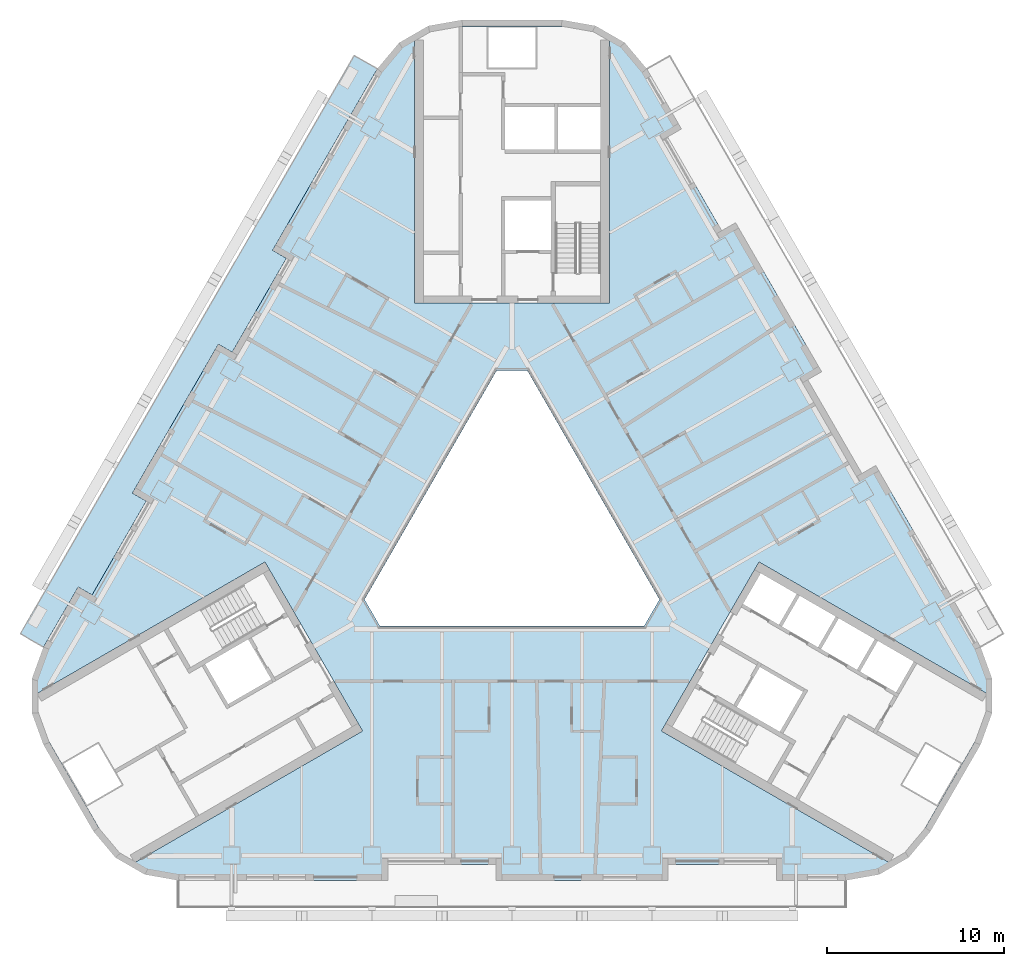
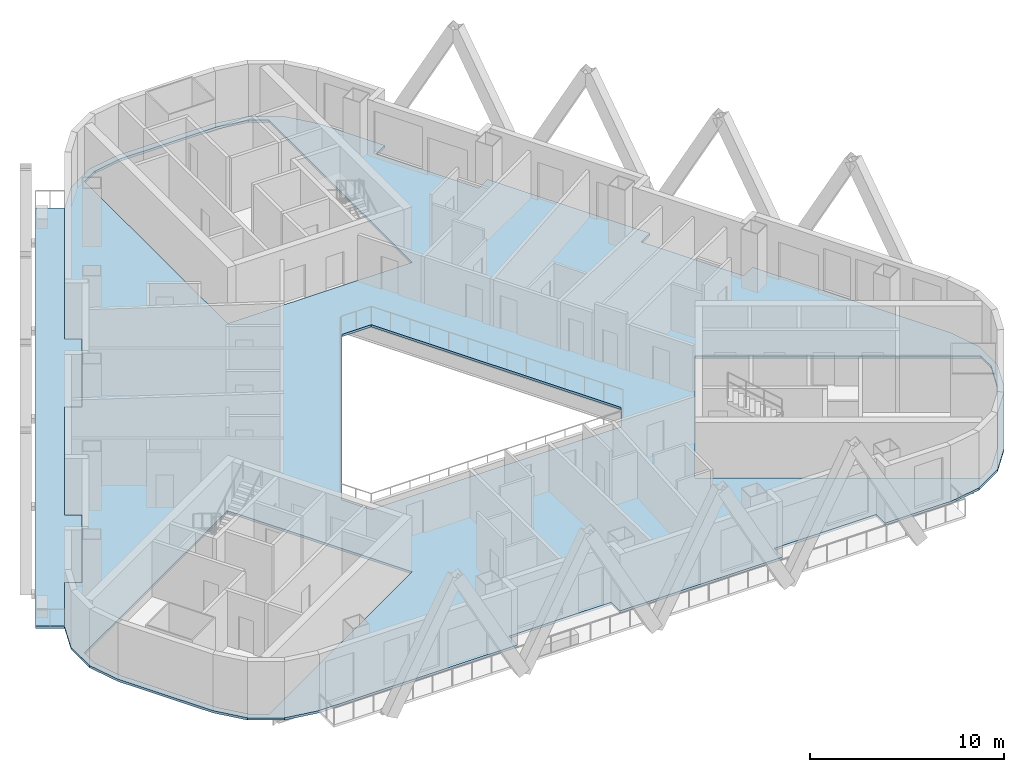
# One storey, part 3 of 17: 2 slabs.
"""IFC4 building model written with IfcOpenShell, lengths in metres."""

from ifc_helpers import new_model, si_unit, direction, frame, origin, place, context, subcontext, project, spatial, polyline, outline, extrude, material, layer, layer_set, type_object, element, save


model = new_model("IFC4")

# Units and contexts
model_context = context("Model", 3, precision=1e-05, world=origin(), true_north=direction((0.0, 1.0)))
body_context = subcontext(model_context, "Body", "Model", "MODEL_VIEW")
ifc_project = project(units=[si_unit("LENGTHUNIT", "METRE"), si_unit("AREAUNIT", "SQUARE_METRE"), si_unit("VOLUMEUNIT", "CUBIC_METRE"), si_unit("PLANEANGLEUNIT", "RADIAN"), si_unit("MASSUNIT", "GRAM", prefix="KILO")], contexts=[model_context])

# Site, building, storey
site_placement = place(None, origin())
site = spatial("IfcSite", under=ifc_project, at=site_placement, CompositionType="ELEMENT")
building_placement = place(site_placement, origin())
building = spatial("IfcBuilding", under=site, at=building_placement, Name="Apuvela Tower Hotel", CompositionType="ELEMENT")
storey_placement = place(building_placement, frame((0.0, 0.0, 46.5)))
storey = spatial("IfcBuildingStorey", under=building, at=storey_placement, Name="L08", CompositionType="ELEMENT", Elevation=46.5)

# Slabs
ifc_material_1 = material(Name="Concrete C40/50, fair-faced", Category="concrete")
ifc_layer_1 = layer(ifc_material_1, 0.14990234375)
ifc_layer_set_1 = layer_set([ifc_layer_1], Name="ENV-BALCONY-150")
slab_type_1 = type_object("IfcSlabType", Name="ENV-BALCONY-150", PredefinedType="FLOOR", material=ifc_layer_set_1)
slab_1_placement = place(storey_placement, frame((0.0, 0.0, -0.14990234375)))
element("IfcSlab", 1, at=slab_1_placement, inside=storey, type_object=slab_type_1, Name="Balcony slab NW L08", PredefinedType="FLOOR", context=body_context, shape_type="SweptSolid", body=[
    extrude(outline(polyline([(-27.7138671875, -5.731689453125), (-8.89306640625, 26.86669921875), (-7.585205078125, 26.11181640625), (-13.4931640625, 15.87890625), (-12.7138671875, 15.428955078125), (-15.768798828125, 10.1376953125), (-16.548095703125, 10.587646484375), (-21.393310546875, 2.19580078125), (-20.61376953125, 1.745849609375), (-23.668701171875, -3.545654296875), (-24.4482421875, -3.095703125), (-26.40625, -6.48681640625), (-27.7138671875, -5.731689453125)])), origin(), (0.0, 0.0, 1.0), 0.14990234375),
])
ifc_material_2 = material(Name="Concrete C35/45", Category="concrete")
ifc_layer_2 = layer(ifc_material_2, 0.14990234375)
ifc_layer_set_2 = layer_set([ifc_layer_2], Name="STR-SLAB 150 floor Concrete C35/45")
slab_type_2 = type_object("IfcSlabType", Name="STR-SLAB 150 floor Concrete C35/45", PredefinedType="FLOOR", material=ifc_layer_set_2)
slab_2_placement = place(storey_placement, frame((0.0, 0.0, -0.14990234375)))
element("IfcSlab", 2, at=slab_2_placement, inside=storey, type_object=slab_type_2, Name="Floor slab S4 L08", PredefinedType="FLOOR", context=body_context, shape_type="SweptSolid", body=[
    extrude(outline(polyline([(-6.3642578125, 27.5732421875), (-4.710205078125, 28.5283203125), (-2.8291015625, 28.860107421875), (2.8291015625, 28.860107421875), (4.710205078125, 28.5283203125), (6.3642578125, 27.5732421875), (7.59228515625, 26.110107421875), (9.550048828125, 22.71875), (8.770751953125, 22.268798828125), (11.82080078125, 16.986083984375), (12.60009765625, 17.43603515625), (17.4501953125, 9.035400390625), (16.670654296875, 8.58544921875), (19.720703125, 3.302734375), (20.5, 3.752685546875), (26.407958984375, -6.47998046875), (27.061279296875, -8.27490234375), (27.061279296875, -10.18505859375), (26.407958984375, -11.97998046875), (23.5791015625, -16.8798828125), (22.351318359375, -18.34326171875), (20.697021484375, -19.29833984375), (18.81591796875, -19.6298828125), (14.89990234375, -19.6298828125), (14.89990234375, -18.72998046875), (8.800048828125, -18.72998046875), (8.800048828125, -19.6298828125), (-0.89990234375, -19.6298828125), (-0.89990234375, -18.72998046875), (-7.0, -18.72998046875), (-7.0, -19.6298828125), (-18.81591796875, -19.6298828125), (-20.697021484375, -19.29833984375), (-22.351318359375, -18.34326171875), (-23.5791015625, -16.8798828125), (-26.407958984375, -11.97998046875), (-27.061279296875, -10.18505859375), (-27.061279296875, -8.27490234375), (-26.407958984375, -6.47998046875), (-24.4501953125, -3.088623046875), (-23.670654296875, -3.538818359375), (-20.62060546875, 1.743896484375), (-21.400146484375, 2.194091796875), (-16.550048828125, 10.594482421875), (-15.7705078125, 10.14453125), (-12.720703125, 15.42724609375), (-13.5, 15.877197265625), (-7.59228515625, 26.110107421875), (-6.3642578125, 27.5732421875)]), holes=[polyline([(0.865966796875, 9.10009765625), (-0.865966796875, 9.10009765625), (-8.313720703125, -3.800048828125), (-7.44775390625, -5.300048828125), (7.44775390625, -5.300048828125), (8.313720703125, -3.800048828125), (0.865966796875, 9.10009765625)]), polyline([(-5.5, 12.89990234375), (-5.5, 27.668212890625), (-4.588623046875, 28.1943359375), (-2.85498046875, 28.5), (2.85498046875, 28.5), (4.588623046875, 28.1943359375), (5.5, 27.668212890625), (5.5, 12.89990234375), (-5.5, 12.89990234375)]), polyline([(-8.421630859375, -11.213134765625), (-21.211181640625, -18.59716796875), (-22.122802734375, -18.071044921875), (-23.254150390625, -16.72265625), (-26.109375, -11.77734375), (-26.711181640625, -10.123291015625), (-26.711181640625, -9.07080078125), (-13.921630859375, -1.68701171875), (-8.421630859375, -11.213134765625)]), polyline([(13.921630859375, -1.68701171875), (26.711181640625, -9.07080078125), (26.711181640625, -10.123291015625), (26.109375, -11.77734375), (23.254150390625, -16.72265625), (22.122802734375, -18.071044921875), (21.211181640625, -18.59716796875), (8.421630859375, -11.213134765625), (13.921630859375, -1.68701171875)])]), origin(), (0.0, 0.0, 1.0), 0.14990234375),
])

save(model, "model.ifc")
